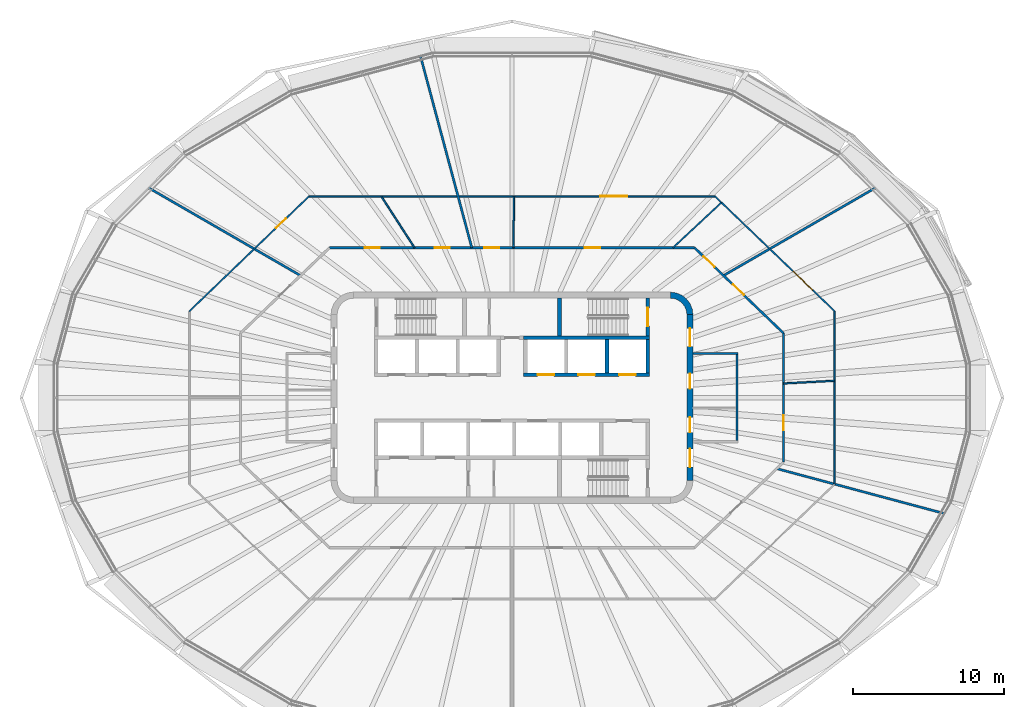
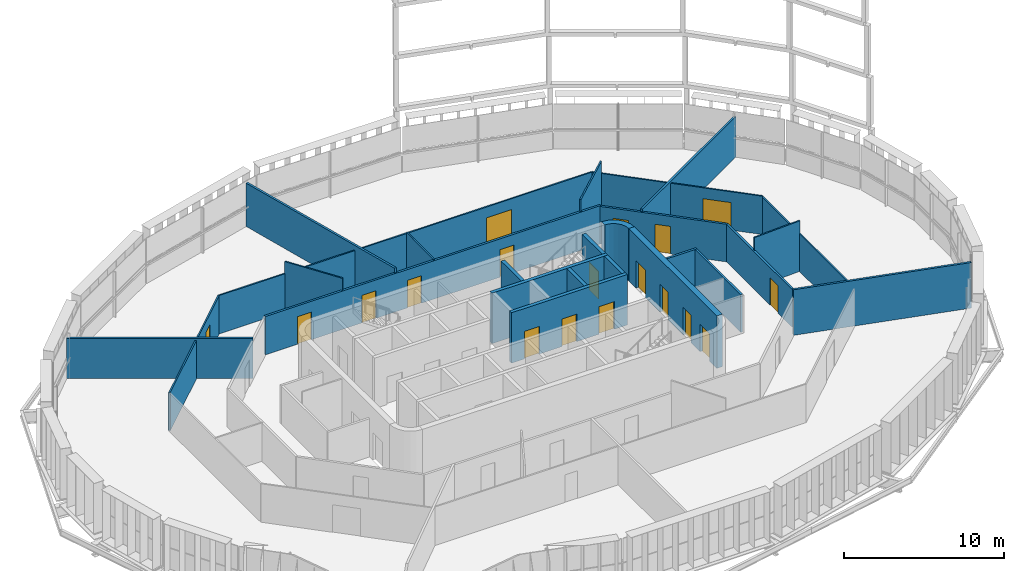
# One storey, part 12 of 20: 25 walls, 18 doors, 18 openings.
"""IFC4 building model written with IfcOpenShell, lengths in metres."""

import ifcopenshell
import ifcopenshell.guid

model = None  # the IFC model being written
_history = None  # IfcOwnerHistory: only IFC2X3 demands one
_inside = {}  # id of a spatial element -> (the spatial element, [elements in it])
_under = {}  # id of a project, library or spatial element -> (it, [spatial elements below it])
_declared = {}  # id of a project -> (the project, [libraries it declares])
_typed = {}  # id of a type object -> (the type object, [elements of that type])
_made_of = {}  # id of a material, layer set ... -> (it, [elements and type objects made of it])


def new_model(schema):
    """Start an empty IFC model of exactly this schema.

    Asked for "IFC4X3", IfcOpenShell would pick the latest addendum, in which some entities
    have other attributes; the version numbers below select the first issue.
    IFC2X3 requires an IfcOwnerHistory on every rooted entity: one is made here for all.
    """
    global model, _history
    if schema == "IFC4X3":
        model = ifcopenshell.file(schema_version=(4, 3, 0, 0))
    else:
        model = ifcopenshell.file(schema=schema)
    _inside.clear()
    _under.clear()
    _declared.clear()
    _typed.clear()
    _made_of.clear()
    _history = None
    if model.schema == "IFC2X3":
        org = make("IfcOrganization", Name="unknown")
        user = make(
            "IfcPersonAndOrganization",
            ThePerson=make("IfcPerson", FamilyName="unknown"),
            TheOrganization=org,
        )
        app = make(
            "IfcApplication",
            ApplicationDeveloper=org,
            Version="unknown",
            ApplicationFullName="unknown",
            ApplicationIdentifier="unknown",
        )
        _history = make(
            "IfcOwnerHistory",
            OwningUser=user,
            OwningApplication=app,
            ChangeAction="ADDED",
            CreationDate=0,
        )
    return model


def make(cls, **values):
    """One entity of the class cls with the attributes given. An attribute that is None is left unset."""
    return model.create_entity(
        cls, **{name: value for name, value in values.items() if value is not None}
    )


def rooted(cls, **values):
    """An entity with a GlobalId (a new one), such as an element, a storey or a relation."""
    return make(cls, GlobalId=ifcopenshell.guid.new(), OwnerHistory=_history, **values)


def si_unit(unit_type, name, prefix=None):
    """IfcSIUnit, for example si_unit("LENGTHUNIT", "METRE", prefix="MILLI")."""
    return make("IfcSIUnit", UnitType=unit_type, Prefix=prefix, Name=name)


def assignment(units):
    """IfcUnitAssignment: the units of a project."""
    return None if units is None else make("IfcUnitAssignment", Units=units)


def point(xyz):
    """IfcCartesianPoint."""
    return None if xyz is None else make("IfcCartesianPoint", Coordinates=xyz)


def direction(xyz):
    """IfcDirection."""
    return None if xyz is None else make("IfcDirection", DirectionRatios=xyz)


def frame(location, z_axis=None, x_axis=None):
    """IfcAxis2Placement3D, a coordinate frame: its origin and axes. An axis left out is left unset."""
    return make(
        "IfcAxis2Placement3D",
        Location=point(location),
        Axis=direction(z_axis),
        RefDirection=direction(x_axis),
    )


def frame_2d(location, x_axis=None):
    """IfcAxis2Placement2D, a coordinate frame in the plane: its origin and x axis."""
    return make(
        "IfcAxis2Placement2D", Location=point(location), RefDirection=direction(x_axis)
    )


def origin():
    """The frame at (0, 0, 0) with its axes left unset."""
    return frame((0.0, 0.0, 0.0))


def place(relative_to, where):
    """IfcLocalPlacement: puts the frame where relative to a parent placement (None: the world)."""
    return make(
        "IfcLocalPlacement", PlacementRelTo=relative_to, RelativePlacement=where
    )


def context(
    kind, dimensions, precision=None, world=None, true_north=None, identifier=None
):
    """IfcGeometricRepresentationContext, for example the 3D "Model" context."""
    return make(
        "IfcGeometricRepresentationContext",
        ContextIdentifier=identifier,
        ContextType=kind,
        CoordinateSpaceDimension=dimensions,
        Precision=precision,
        WorldCoordinateSystem=world,
        TrueNorth=true_north,
    )


def subcontext(parent, identifier, kind, view, scale=None):
    """IfcGeometricRepresentationSubContext, for example "Body" below "Model"."""
    return make(
        "IfcGeometricRepresentationSubContext",
        ContextIdentifier=identifier,
        ContextType=kind,
        ParentContext=parent,
        TargetScale=scale,
        TargetView=view,
    )


def project(units=None, contexts=None):
    """IfcProject with its units and contexts."""
    return rooted(
        "IfcProject",
        Name="project",
        RepresentationContexts=contexts,
        UnitsInContext=assignment(units),
    )


def spatial(cls, under=None, at=None, **own):
    """A site, building, storey or space (cls), placed at a placement, below another one or the project."""
    s = rooted(cls, ObjectPlacement=at, **own)
    if under is not None:
        _under.setdefault(under.id(), (under, []))[1].append(s)
    return s


def polyline(points):
    """IfcPolyline through the points."""
    return make("IfcPolyline", Points=[point(p) for p in points])


def profile(cls, at=None, kind="AREA", **sizes):
    """A parametric profile (cls). Its sizes go by their IFC names, for example OverallWidth=200.0."""
    return make(cls, ProfileType=kind, Position=at, **sizes)


def rectangle(**sizes):
    """IfcRectangleProfileDef."""
    return profile("IfcRectangleProfileDef", **sizes)


def outline(outer, holes=None, kind="AREA"):
    """IfcArbitraryClosedProfileDef: a profile drawn as a closed curve; with holes, ...WithVoids."""
    if holes is None:
        return make("IfcArbitraryClosedProfileDef", ProfileType=kind, OuterCurve=outer)
    return make(
        "IfcArbitraryProfileDefWithVoids",
        ProfileType=kind,
        OuterCurve=outer,
        InnerCurves=holes,
    )


def extrude(swept, where, along, depth):
    """IfcExtrudedAreaSolid: the profile swept, set in the frame where, extruded along a direction by depth."""
    return make(
        "IfcExtrudedAreaSolid",
        SweptArea=swept,
        Position=where,
        ExtrudedDirection=direction(along),
        Depth=depth,
    )


def shape(context_of_items, identifier, shape_type, items):
    """IfcShapeRepresentation: the items that make up one representation, for example the "Body"."""
    return make(
        "IfcShapeRepresentation",
        ContextOfItems=context_of_items,
        RepresentationIdentifier=identifier,
        RepresentationType=shape_type,
        Items=items,
    )


def material(Name=None, Category=None):
    """IfcMaterial."""
    return make("IfcMaterial", Name=Name, Category=Category)


def layer(
    of_material, thickness, ventilated=None, Name=None, Category=None, Priority=None
):
    """IfcMaterialLayer: one layer of a wall or slab, of a material (None: an air gap)."""
    return make(
        "IfcMaterialLayer",
        Material=of_material,
        LayerThickness=thickness,
        IsVentilated=ventilated,
        Name=Name,
        Category=Category,
        Priority=Priority,
    )


def layer_set(layers, Name=None):
    """IfcMaterialLayerSet."""
    return make("IfcMaterialLayerSet", MaterialLayers=layers, LayerSetName=Name)


def made_of(thing, what):
    """Note that an element or type object is made of a material, layer set ...; save() writes the relation."""
    if what is not None:
        _made_of.setdefault(what.id(), (what, []))[1].append(thing)
    return thing


def type_object(cls, material=None, **own):
    """A type object (cls), such as IfcWallType, which elements share."""
    return made_of(rooted(cls, **own), material)


def element(
    cls,
    number,
    at=None,
    inside=None,
    cuts=None,
    type_object=None,
    material=None,
    context=None,
    identifier="Body",
    shape_type=None,
    held_by="IfcProductDefinitionShape",
    body=None,
    shapes=None,
    **own,
):
    """One element of the class cls, such as IfcWall. Its Tag is "e" and its number.

    at: its placement. inside: the storey or other place that contains it. cuts: it is an
    opening in that element (IfcRelVoidsElement). A single representation is given by context,
    identifier, shape_type and body (its items); several are given by shapes. held_by: the class
    of the entity that holds the representations. save() writes the other relations.
    """
    e = rooted(cls, Tag="e%d" % number, ObjectPlacement=at, **own)
    if body is not None:
        shapes = [shape(context, identifier, shape_type, body)]
    if shapes is not None:
        e.Representation = make(held_by, Representations=shapes)
    if inside is not None:
        _inside.setdefault(inside.id(), (inside, []))[1].append(e)
    if cuts is not None:
        rooted(
            "IfcRelVoidsElement", RelatingBuildingElement=cuts, RelatedOpeningElement=e
        )
    if type_object is not None:
        _typed.setdefault(type_object.id(), (type_object, []))[1].append(e)
    return made_of(e, material)


def fill(opening, filler):
    """IfcRelFillsElement: the door or window that sits in an opening."""
    return rooted(
        "IfcRelFillsElement",
        RelatingOpeningElement=opening,
        RelatedBuildingElement=filler,
    )


def aggregate(whole, parts):
    """IfcRelAggregates: a whole, such as a stair, and the parts it consists of."""
    return rooted("IfcRelAggregates", RelatingObject=whole, RelatedObjects=parts)


def save(model, path):
    """Write the relations noted so far, then the file.

    IfcRelAggregates (storeys below a building ...), IfcRelContainedInSpatialStructure (elements
    in a storey), IfcRelDefinesByType, IfcRelAssociatesMaterial and IfcRelDeclares: one each for
    every whole, place, type object, material and project.
    """
    for whole, parts in _under.values():
        aggregate(whole, parts)
    for where, things in _inside.values():
        rooted(
            "IfcRelContainedInSpatialStructure",
            RelatedElements=things,
            RelatingStructure=where,
        )
    for kind, things in _typed.values():
        rooted("IfcRelDefinesByType", RelatedObjects=things, RelatingType=kind)
    for what, things in _made_of.values():
        rooted("IfcRelAssociatesMaterial", RelatedObjects=things, RelatingMaterial=what)
    for by, libraries in _declared.values():
        rooted("IfcRelDeclares", RelatingContext=by, RelatedDefinitions=libraries)
    model.write(path)


model = new_model("IFC4")

# Units and contexts
model_context = context("Model", 3, precision=1e-05, world=origin(), true_north=direction((0.0, 1.0)))
body_context = subcontext(model_context, "Body", "Model", "MODEL_VIEW")
ifc_project = project(units=[si_unit("LENGTHUNIT", "METRE"), si_unit("AREAUNIT", "SQUARE_METRE"), si_unit("VOLUMEUNIT", "CUBIC_METRE"), si_unit("PLANEANGLEUNIT", "RADIAN"), si_unit("MASSUNIT", "GRAM", prefix="KILO")], contexts=[model_context])

# Site, building, storey
site_placement = place(None, origin())
site = spatial("IfcSite", under=ifc_project, at=site_placement, CompositionType="ELEMENT")
building_placement = place(site_placement, origin())
building = spatial("IfcBuilding", under=site, at=building_placement, Name="Sahrelin Media Tower", CompositionType="ELEMENT")
storey_placement = place(building_placement, frame((0.0, 0.0, 255.0)))
storey = spatial("IfcBuildingStorey", under=building, at=storey_placement, Name="L55", CompositionType="ELEMENT", Elevation=255.0)

# Wall, openings, doors
ifc_material_1 = material(Name="Concrete C60/75", Category="concrete")
ifc_layer_1 = layer(ifc_material_1, 0.39990234375)
ifc_layer_set_1 = layer_set([ifc_layer_1], Name="Core wall 400")
wall_type_1 = type_object("IfcWallType", Name="Core wall 400", PredefinedType="SHEAR", material=ifc_layer_set_1)
wall_1_placement = place(storey_placement, frame((11.800048828125, -5.5, 0.0), z_axis=(0.0, 0.0, 1.0), x_axis=(0.0, 1.0, 0.0)))
wall_1 = element("IfcWall", 1, at=wall_1_placement, inside=storey, type_object=wall_type_1, Name="Core wall E L55", PredefinedType="SHEAR", context=body_context, shape_type="SweptSolid", body=[
    extrude(rectangle(XDim=11.0, YDim=0.39990234375, at=frame_2d((5.5, 0.0))), origin(), (0.0, 0.0, 1.0), 4.0),
])
opening_1_placement = place(wall_1_placement, frame((3.199951171875, 0.0, 0.0)))
opening_1 = element("IfcOpeningElement", 2, at=opening_1_placement, cuts=wall_1, Name="Opening L55-D12", PredefinedType="OPENING", context=body_context, shape_type="SweptSolid", body=[
    extrude(rectangle(XDim=1.0, YDim=2.10009765625, at=frame_2d((0.5, 1.050048828125))), frame((0.0, 0.199951171875, 0.0), z_axis=(0.0, -1.0, 0.0), x_axis=(1.0, 0.0, 0.0)), (0.0, 0.0, 1.0), 0.39990234375),
])
opening_2_placement = place(wall_1_placement, frame((6.10009765625, 0.0, 0.0)))
opening_2 = element("IfcOpeningElement", 3, at=opening_2_placement, cuts=wall_1, Name="Opening L55-D13", PredefinedType="OPENING", context=body_context, shape_type="SweptSolid", body=[
    extrude(rectangle(XDim=1.0, YDim=2.10009765625, at=frame_2d((0.5, 1.050048828125))), frame((0.0, 0.199951171875, 0.0), z_axis=(0.0, -1.0, 0.0), x_axis=(1.0, 0.0, 0.0)), (0.0, 0.0, 1.0), 0.39990234375),
])
opening_3_placement = place(wall_1_placement, frame((0.89990234375, 0.0, 0.0)))
opening_3 = element("IfcOpeningElement", 4, at=opening_3_placement, cuts=wall_1, Name="Opening L55-D16", PredefinedType="OPENING", context=body_context, shape_type="SweptSolid", body=[
    extrude(rectangle(XDim=1.199951171875, YDim=2.10009765625, at=frame_2d((0.60009765625, 1.050048828125))), frame((0.0, 0.199951171875, 0.0), z_axis=(0.0, -1.0, 0.0), x_axis=(1.0, 0.0, 0.0)), (0.0, 0.0, 1.0), 0.39990234375),
])
opening_4_placement = place(wall_1_placement, frame((8.89990234375, 0.0, 0.0)))
opening_4 = element("IfcOpeningElement", 5, at=opening_4_placement, cuts=wall_1, Name="Opening L55-D17", PredefinedType="OPENING", context=body_context, shape_type="SweptSolid", body=[
    extrude(rectangle(XDim=1.199951171875, YDim=2.10009765625, at=frame_2d((0.60009765625, 1.050048828125))), frame((0.0, 0.199951171875, 0.0), z_axis=(0.0, -1.0, 0.0), x_axis=(1.0, 0.0, 0.0)), (0.0, 0.0, 1.0), 0.39990234375),
])
ifc_material_2 = material(Name="Steel fire door leaf", Category="steel")
door_type_1 = type_object("IfcDoorType", Name="Fire door 1000 x 2100 EI 60", OperationType="NOTDEFINED", PredefinedType="DOOR", material=ifc_material_2)
door_1_placement = place(opening_1_placement, origin())
door_1 = element("IfcDoor", 6, at=door_1_placement, inside=storey, type_object=door_type_1, Name="Core room door", OperationType="SINGLE_SWING_RIGHT", OverallHeight=2.10009765625, OverallWidth=1.0, PredefinedType="DOOR", context=body_context, shape_type="SweptSolid", body=[
    extrude(rectangle(XDim=1.0, YDim=2.10009765625, at=frame_2d((0.5, 1.050048828125))), frame((0.0, 0.02490234375, 0.0), z_axis=(0.0, -1.0, 0.0), x_axis=(1.0, 0.0, 0.0)), (0.0, 0.0, 1.0), 0.050048828125),
])
fill(opening_1, door_1)
door_2_placement = place(opening_2_placement, origin())
door_2 = element("IfcDoor", 7, at=door_2_placement, inside=storey, type_object=door_type_1, Name="Core room door", OperationType="SINGLE_SWING_RIGHT", OverallHeight=2.10009765625, OverallWidth=1.0, PredefinedType="DOOR", context=body_context, shape_type="SweptSolid", body=[
    extrude(rectangle(XDim=1.0, YDim=2.10009765625, at=frame_2d((0.5, 1.050048828125))), frame((0.0, 0.02490234375, 0.0), z_axis=(0.0, -1.0, 0.0), x_axis=(1.0, 0.0, 0.0)), (0.0, 0.0, 1.0), 0.050048828125),
])
fill(opening_2, door_2)
door_type_2 = type_object("IfcDoorType", Name="Lobby door 1200 x 2100 EI 60", OperationType="NOTDEFINED", PredefinedType="DOOR", material=ifc_material_2)
door_3_placement = place(opening_3_placement, origin())
door_3 = element("IfcDoor", 8, at=door_3_placement, inside=storey, type_object=door_type_2, Name="Lobby door", OperationType="SINGLE_SWING_LEFT", OverallHeight=2.10009765625, OverallWidth=1.199951171875, PredefinedType="DOOR", context=body_context, shape_type="SweptSolid", body=[
    extrude(rectangle(XDim=1.199951171875, YDim=2.10009765625, at=frame_2d((0.60009765625, 1.050048828125))), frame((0.0, 0.02490234375, 0.0), z_axis=(0.0, -1.0, 0.0), x_axis=(1.0, 0.0, 0.0)), (0.0, 0.0, 1.0), 0.050048828125),
])
fill(opening_3, door_3)
door_4_placement = place(opening_4_placement, origin())
door_4 = element("IfcDoor", 9, at=door_4_placement, inside=storey, type_object=door_type_2, Name="Lobby door", OperationType="SINGLE_SWING_LEFT", OverallHeight=2.10009765625, OverallWidth=1.199951171875, PredefinedType="DOOR", context=body_context, shape_type="SweptSolid", body=[
    extrude(rectangle(XDim=1.199951171875, YDim=2.10009765625, at=frame_2d((0.60009765625, 1.050048828125))), frame((0.0, 0.02490234375, 0.0), z_axis=(0.0, -1.0, 0.0), x_axis=(1.0, 0.0, 0.0)), (0.0, 0.0, 1.0), 0.050048828125),
])
fill(opening_4, door_4)

# Walls
wall_2_placement = place(storey_placement, origin())
element("IfcWall", 10, at=wall_2_placement, inside=storey, type_object=wall_type_1, Name="Core wall corner NE L55", PredefinedType="SHEAR", context=body_context, shape_type="SweptSolid", body=[
    extrude(outline(polyline([(10.5, 7.0), (10.5, 6.596435546875), (10.78369140625, 6.55908203125), (11.04833984375, 6.44970703125), (11.275390625, 6.275390625), (11.44970703125, 6.04833984375), (11.55908203125, 5.78369140625), (11.596435546875, 5.5), (12.0, 5.5), (11.948974609375, 5.88818359375), (11.799072265625, 6.25), (11.560791015625, 6.560791015625), (11.25, 6.799072265625), (10.88818359375, 6.948974609375), (10.5, 7.0)])), origin(), (0.0, 0.0, 1.0), 4.0),
])
ifc_material_3 = material(Name="Fire-rated gypsum board partition")
ifc_layer_2 = layer(ifc_material_3, 0.14990234375)
ifc_layer_set_2 = layer_set([ifc_layer_2], Name="Fire-rated partition 150")
wall_type_2 = type_object("IfcWallType", Name="Fire-rated partition 150", PredefinedType="PARTITIONING", material=ifc_layer_set_2)
wall_3_placement = place(storey_placement, frame((14.925048828125, -2.85009765625, 0.0), z_axis=(0.0, 0.0, 1.0), x_axis=(0.0, 1.0, 0.0)))
element("IfcWall", 11, at=wall_3_placement, inside=storey, type_object=wall_type_2, Name="Core room fire partition", PredefinedType="PARTITIONING", context=body_context, shape_type="SweptSolid", body=[
    extrude(rectangle(XDim=5.7001953125, YDim=0.14990234375, at=frame_2d((2.85009765625, 0.0))), origin(), (0.0, 0.0, 1.0), 2.8681640625),
])
wall_4_placement = place(storey_placement, frame((12.0, 2.925048828125, 0.0), z_axis=(0.0, 0.0, 1.0), x_axis=(1.0, 0.0, 0.0)))
element("IfcWall", 12, at=wall_4_placement, inside=storey, type_object=wall_type_2, Name="Core room fire partition", PredefinedType="PARTITIONING", context=body_context, shape_type="SweptSolid", body=[
    extrude(rectangle(XDim=3.0, YDim=0.14990234375, at=frame_2d((1.5, 0.0))), origin(), (0.0, 0.0, 1.0), 2.8681640625),
])
wall_5_placement = place(storey_placement, frame((-6.068115234375, 22.64599609375, 0.0), z_axis=(0.0, 0.0, 1.0), x_axis=(0.258814996199, -0.965926911181, 0.0)))
element("IfcWall", 13, at=wall_5_placement, inside=storey, type_object=wall_type_2, Name="Wall", PredefinedType="PARTITIONING", context=body_context, shape_type="SweptSolid", body=[
    extrude(rectangle(XDim=13.14501953125, YDim=0.14990234375, at=frame_2d((6.572509765625, 0.0))), origin(), (0.0, 0.0, 1.0), 3.3017578125),
])

# Wall, openings, doors
wall_6_placement = place(storey_placement, frame((12.094970703125, 9.948974609375, 0.0), z_axis=(0.0, 0.0, 1.0), x_axis=(0.721290181137, -0.692633001376, 0.0)))
wall_6 = element("IfcWall", 14, at=wall_6_placement, inside=storey, type_object=wall_type_2, Name="Wall", PredefinedType="PARTITIONING", context=body_context, shape_type="SweptSolid", body=[
    extrude(rectangle(XDim=8.18701171875, YDim=0.14990234375, at=frame_2d((4.093505859375, 0.0))), origin(), (0.0, 0.0, 1.0), 2.8681640625),
])
opening_5_placement = place(wall_6_placement, frame((0.8388671875, 0.0, 0.0)))
opening_5 = element("IfcOpeningElement", 15, at=opening_5_placement, cuts=wall_6, Name="Opening L55-D18", PredefinedType="OPENING", context=body_context, shape_type="SweptSolid", body=[
    extrude(rectangle(XDim=1.0, YDim=2.10009765625, at=frame_2d((0.5, 1.050048828125))), frame((0.0, 0.074951171875, 0.0), z_axis=(0.0, -1.0, 0.0), x_axis=(1.0, 0.0, 0.0)), (0.0, 0.0, 1.0), 0.14990234375),
])
opening_6_placement = place(wall_6_placement, frame((3.541748046875, 0.0, 0.0)))
opening_6 = element("IfcOpeningElement", 16, at=opening_6_placement, cuts=wall_6, Name="Opening L55-D35", PredefinedType="OPENING", context=body_context, shape_type="SweptSolid", body=[
    extrude(rectangle(XDim=1.0, YDim=2.10009765625, at=frame_2d((0.5, 1.050048828125))), frame((0.0, 0.074951171875, 0.0), z_axis=(0.0, -1.0, 0.0), x_axis=(1.0, 0.0, 0.0)), (0.0, 0.0, 1.0), 0.14990234375),
])
door_5_placement = place(opening_5_placement, origin())
door_5 = element("IfcDoor", 17, at=door_5_placement, inside=storey, type_object=door_type_1, Name="Fire door", OperationType="SINGLE_SWING_LEFT", OverallHeight=2.10009765625, OverallWidth=1.0, PredefinedType="DOOR", context=body_context, shape_type="SweptSolid", body=[
    extrude(rectangle(XDim=1.0, YDim=2.10009765625, at=frame_2d((0.5, 1.050048828125))), frame((0.0, 0.02490234375, 0.0), z_axis=(0.0, -1.0, 0.0), x_axis=(1.0, 0.0, 0.0)), (0.0, 0.0, 1.0), 0.050048828125),
])
fill(opening_5, door_5)
door_6_placement = place(opening_6_placement, origin())
door_6 = element("IfcDoor", 18, at=door_6_placement, inside=storey, type_object=door_type_1, Name="Fire door", OperationType="SINGLE_SWING_LEFT", OverallHeight=2.10009765625, OverallWidth=1.0, PredefinedType="DOOR", context=body_context, shape_type="SweptSolid", body=[
    extrude(rectangle(XDim=1.0, YDim=2.10009765625, at=frame_2d((0.5, 1.050048828125))), frame((0.0, 0.02490234375, 0.0), z_axis=(0.0, -1.0, 0.0), x_axis=(1.0, 0.0, 0.0)), (0.0, 0.0, 1.0), 0.050048828125),
])
fill(opening_6, door_6)

# Walls
wall_7_placement = place(storey_placement, frame((-24.10400390625, 13.9169921875, 0.0), z_axis=(0.0, 0.0, 1.0), x_axis=(0.865998705175, -0.500046240497, 0.0)))
element("IfcWall", 19, at=wall_7_placement, inside=storey, type_object=wall_type_2, Name="Wall", PredefinedType="PARTITIONING", context=body_context, shape_type="SweptSolid", body=[
    extrude(rectangle(XDim=11.6396484375, YDim=0.14990234375, at=frame_2d((5.81982421875, 0.0))), origin(), (0.0, 0.0, 1.0), 3.075927734375),
])
wall_8_placement = place(storey_placement, frame((17.555908203125, -4.7041015625, 0.0), z_axis=(0.0, 0.0, 1.0), x_axis=(0.9659158877, -0.258856133573, 0.0)))
element("IfcWall", 20, at=wall_8_placement, inside=storey, type_object=wall_type_2, Name="Wall", PredefinedType="PARTITIONING", context=body_context, shape_type="SweptSolid", body=[
    extrude(rectangle(XDim=11.5205078125, YDim=0.14990234375, at=frame_2d((5.76025390625, 0.0))), origin(), (0.0, 0.0, 1.0), 3.4765625),
])

# Wall, openings, doors
wall_9_placement = place(storey_placement, frame((-12.094970703125, 9.948974609375, 0.0), z_axis=(0.0, 0.0, 1.0), x_axis=(1.0, 0.0, 0.0)))
wall_9 = element("IfcWall", 21, at=wall_9_placement, inside=storey, type_object=wall_type_2, Name="Wall", PredefinedType="PARTITIONING", context=body_context, shape_type="SweptSolid", body=[
    extrude(rectangle(XDim=24.18994140625, YDim=0.14990234375, at=frame_2d((12.094970703125, 0.0))), origin(), (0.0, 0.0, 1.0), 2.927001953125),
])
opening_7_placement = place(wall_9_placement, frame((16.93310546875, 0.0, 0.0)))
opening_7 = element("IfcOpeningElement", 22, at=opening_7_placement, cuts=wall_9, Name="Opening L55-D19", PredefinedType="OPENING", context=body_context, shape_type="SweptSolid", body=[
    extrude(rectangle(XDim=1.0, YDim=2.10009765625, at=frame_2d((0.5, 1.050048828125))), frame((0.0, 0.074951171875, 0.0), z_axis=(0.0, -1.0, 0.0), x_axis=(1.0, 0.0, 0.0)), (0.0, 0.0, 1.0), 0.14990234375),
])
opening_8_placement = place(wall_9_placement, frame((10.254638671875, 0.0, 0.0)))
opening_8 = element("IfcOpeningElement", 23, at=opening_8_placement, cuts=wall_9, Name="Opening L55-D20", PredefinedType="OPENING", context=body_context, shape_type="SweptSolid", body=[
    extrude(rectangle(XDim=1.0, YDim=2.10009765625, at=frame_2d((0.5, 1.050048828125))), frame((0.0, 0.074951171875, 0.0), z_axis=(0.0, -1.0, 0.0), x_axis=(1.0, 0.0, 0.0)), (0.0, 0.0, 1.0), 0.14990234375),
])
opening_9_placement = place(wall_9_placement, frame((6.978271484375, 0.0, 0.0)))
opening_9 = element("IfcOpeningElement", 24, at=opening_9_placement, cuts=wall_9, Name="Opening L55-D22", PredefinedType="OPENING", context=body_context, shape_type="SweptSolid", body=[
    extrude(rectangle(XDim=1.0, YDim=2.10009765625, at=frame_2d((0.5, 1.050048828125))), frame((0.0, 0.074951171875, 0.0), z_axis=(0.0, -1.0, 0.0), x_axis=(1.0, 0.0, 0.0)), (0.0, 0.0, 1.0), 0.14990234375),
])
opening_10_placement = place(wall_9_placement, frame((2.31689453125, 0.0, 0.0)))
opening_10 = element("IfcOpeningElement", 25, at=opening_10_placement, cuts=wall_9, Name="Opening L55-D23", PredefinedType="OPENING", context=body_context, shape_type="SweptSolid", body=[
    extrude(rectangle(XDim=1.0, YDim=2.10009765625, at=frame_2d((0.5, 1.050048828125))), frame((0.0, 0.074951171875, 0.0), z_axis=(0.0, -1.0, 0.0), x_axis=(1.0, 0.0, 0.0)), (0.0, 0.0, 1.0), 0.14990234375),
])
door_7_placement = place(opening_7_placement, origin())
door_7 = element("IfcDoor", 26, at=door_7_placement, inside=storey, type_object=door_type_1, Name="Fire door", OperationType="SINGLE_SWING_RIGHT", OverallHeight=2.10009765625, OverallWidth=1.0, PredefinedType="DOOR", context=body_context, shape_type="SweptSolid", body=[
    extrude(rectangle(XDim=1.0, YDim=2.10009765625, at=frame_2d((0.5, 1.050048828125))), frame((0.0, 0.02490234375, 0.0), z_axis=(0.0, -1.0, 0.0), x_axis=(1.0, 0.0, 0.0)), (0.0, 0.0, 1.0), 0.050048828125),
])
fill(opening_7, door_7)
door_8_placement = place(opening_8_placement, origin())
door_8 = element("IfcDoor", 27, at=door_8_placement, inside=storey, type_object=door_type_1, Name="Fire door", OperationType="SINGLE_SWING_LEFT", OverallHeight=2.10009765625, OverallWidth=1.0, PredefinedType="DOOR", context=body_context, shape_type="SweptSolid", body=[
    extrude(rectangle(XDim=1.0, YDim=2.10009765625, at=frame_2d((0.5, 1.050048828125))), frame((0.0, 0.02490234375, 0.0), z_axis=(0.0, -1.0, 0.0), x_axis=(1.0, 0.0, 0.0)), (0.0, 0.0, 1.0), 0.050048828125),
])
fill(opening_8, door_8)
door_9_placement = place(opening_9_placement, origin())
door_9 = element("IfcDoor", 28, at=door_9_placement, inside=storey, type_object=door_type_1, Name="Fire door", OperationType="SINGLE_SWING_LEFT", OverallHeight=2.10009765625, OverallWidth=1.0, PredefinedType="DOOR", context=body_context, shape_type="SweptSolid", body=[
    extrude(rectangle(XDim=1.0, YDim=2.10009765625, at=frame_2d((0.5, 1.050048828125))), frame((0.0, 0.02490234375, 0.0), z_axis=(0.0, -1.0, 0.0), x_axis=(1.0, 0.0, 0.0)), (0.0, 0.0, 1.0), 0.050048828125),
])
fill(opening_9, door_9)
door_10_placement = place(opening_10_placement, origin())
door_10 = element("IfcDoor", 29, at=door_10_placement, inside=storey, type_object=door_type_1, Name="Fire door", OperationType="SINGLE_SWING_RIGHT", OverallHeight=2.10009765625, OverallWidth=1.0, PredefinedType="DOOR", context=body_context, shape_type="SweptSolid", body=[
    extrude(rectangle(XDim=1.0, YDim=2.10009765625, at=frame_2d((0.5, 1.050048828125))), frame((0.0, 0.02490234375, 0.0), z_axis=(0.0, -1.0, 0.0), x_axis=(1.0, 0.0, 0.0)), (0.0, 0.0, 1.0), 0.050048828125),
])
fill(opening_10, door_10)

# Wall
wall_10_placement = place(storey_placement, frame((14.02392578125, 8.096923828125, 0.0), z_axis=(0.0, 0.0, 1.0), x_axis=(0.866019681863, 0.500009910528, 0.0)))
element("IfcWall", 30, at=wall_10_placement, inside=storey, type_object=wall_type_2, Name="Wall", PredefinedType="PARTITIONING", context=body_context, shape_type="SweptSolid", body=[
    extrude(rectangle(XDim=11.640380859375, YDim=0.14990234375, at=frame_2d((5.8203125, 0.0))), origin(), (0.0, 0.0, 1.0), 3.075927734375),
])

# Wall, opening, door
wall_11_placement = place(storey_placement, frame((18.0, -4.278076171875, 0.0), z_axis=(0.0, 0.0, 1.0), x_axis=(0.0, 1.0, 0.0)))
wall_11 = element("IfcWall", 31, at=wall_11_placement, inside=storey, type_object=wall_type_2, Name="Wall", PredefinedType="PARTITIONING", context=body_context, shape_type="SweptSolid", body=[
    extrude(rectangle(XDim=8.55615234375, YDim=0.14990234375, at=frame_2d((4.278076171875, 0.0))), origin(), (0.0, 0.0, 1.0), 2.8681640625),
])
opening_11_placement = place(wall_11_placement, frame((2.110595703125, 0.0, 0.0)))
opening_11 = element("IfcOpeningElement", 32, at=opening_11_placement, cuts=wall_11, Name="Opening L55-D34", PredefinedType="OPENING", context=body_context, shape_type="SweptSolid", body=[
    extrude(rectangle(XDim=1.0, YDim=2.10009765625, at=frame_2d((0.5, 1.050048828125))), frame((0.0, 0.074951171875, 0.0), z_axis=(0.0, -1.0, 0.0), x_axis=(1.0, 0.0, 0.0)), (0.0, 0.0, 1.0), 0.14990234375),
])
door_11_placement = place(opening_11_placement, origin())
door_11 = element("IfcDoor", 33, at=door_11_placement, inside=storey, type_object=door_type_1, Name="Fire door", OperationType="SINGLE_SWING_LEFT", OverallHeight=2.10009765625, OverallWidth=1.0, PredefinedType="DOOR", context=body_context, shape_type="SweptSolid", body=[
    extrude(rectangle(XDim=1.0, YDim=2.10009765625, at=frame_2d((0.5, 1.050048828125))), frame((0.0, 0.02490234375, 0.0), z_axis=(0.0, -1.0, 0.0), x_axis=(1.0, 0.0, 0.0)), (0.0, 0.0, 1.0), 0.050048828125),
])
fill(opening_11, door_11)

# Wall, openings, doors
ifc_layer_3 = layer(ifc_material_1, 0.25)
ifc_layer_set_3 = layer_set([ifc_layer_3], Name="Lift shaft wall 250")
wall_type_3 = type_object("IfcWallType", Name="Lift shaft wall 250", PredefinedType="SOLIDWALL", material=ifc_layer_set_3)
wall_12_placement = place(storey_placement, frame((0.77490234375, 1.52490234375, 0.0), z_axis=(0.0, 0.0, 1.0), x_axis=(1.0, 0.0, 0.0)))
wall_12 = element("IfcWall", 34, at=wall_12_placement, inside=storey, type_object=wall_type_3, Name="Lift shaft wall", PredefinedType="SOLIDWALL", context=body_context, shape_type="SweptSolid", body=[
    extrude(rectangle(XDim=8.35009765625, YDim=0.25, at=frame_2d((4.175048828125, 0.0))), origin(), (0.0, 0.0, 1.0), 3.85009765625),
])
opening_12_placement = place(wall_12_placement, frame((0.925048828125, 0.0, 0.0)))
opening_12 = element("IfcOpeningElement", 35, at=opening_12_placement, cuts=wall_12, Name="Opening L55-LD-HR4", PredefinedType="OPENING", context=body_context, shape_type="SweptSolid", body=[
    extrude(rectangle(XDim=1.10009765625, YDim=2.10009765625, at=frame_2d((0.550048828125, 1.050048828125))), frame((0.0, 0.125, 0.0), z_axis=(0.0, -1.0, 0.0), x_axis=(1.0, 0.0, 0.0)), (0.0, 0.0, 1.0), 0.25),
])
opening_13_placement = place(wall_12_placement, frame((3.625, 0.0, 0.0)))
opening_13 = element("IfcOpeningElement", 36, at=opening_13_placement, cuts=wall_12, Name="Opening L55-LD-HR5", PredefinedType="OPENING", context=body_context, shape_type="SweptSolid", body=[
    extrude(rectangle(XDim=1.10009765625, YDim=2.10009765625, at=frame_2d((0.550048828125, 1.050048828125))), frame((0.0, 0.125, 0.0), z_axis=(0.0, -1.0, 0.0), x_axis=(1.0, 0.0, 0.0)), (0.0, 0.0, 1.0), 0.25),
])
opening_14_placement = place(wall_12_placement, frame((6.324951171875, 0.0, 0.0)))
opening_14 = element("IfcOpeningElement", 37, at=opening_14_placement, cuts=wall_12, Name="Opening L55-LD-HR6", PredefinedType="OPENING", context=body_context, shape_type="SweptSolid", body=[
    extrude(rectangle(XDim=1.10009765625, YDim=2.10009765625, at=frame_2d((0.550048828125, 1.050048828125))), frame((0.0, 0.125, 0.0), z_axis=(0.0, -1.0, 0.0), x_axis=(1.0, 0.0, 0.0)), (0.0, 0.0, 1.0), 0.25),
])
ifc_material_4 = material(Name="Stainless steel", Category="steel")
door_type_3 = type_object("IfcDoorType", Name="Lift landing door 1100 x 2100 EI 120", OperationType="DOUBLE_DOOR_SLIDING", PredefinedType="DOOR", material=ifc_material_4)
door_12_placement = place(opening_12_placement, origin())
door_12 = element("IfcDoor", 38, at=door_12_placement, inside=storey, type_object=door_type_3, Name="Lift landing door HR4", OperationType="DOUBLE_DOOR_SLIDING", OverallHeight=2.10009765625, OverallWidth=1.10009765625, PredefinedType="DOOR", context=body_context, shape_type="SweptSolid", body=[
    extrude(rectangle(XDim=1.10009765625, YDim=2.10009765625, at=frame_2d((0.550048828125, 1.050048828125))), frame((0.0, 0.02490234375, 0.0), z_axis=(0.0, -1.0, 0.0), x_axis=(1.0, 0.0, 0.0)), (0.0, 0.0, 1.0), 0.050048828125),
])
fill(opening_12, door_12)
door_13_placement = place(opening_13_placement, origin())
door_13 = element("IfcDoor", 39, at=door_13_placement, inside=storey, type_object=door_type_3, Name="Lift landing door HR5", OperationType="DOUBLE_DOOR_SLIDING", OverallHeight=2.10009765625, OverallWidth=1.10009765625, PredefinedType="DOOR", context=body_context, shape_type="SweptSolid", body=[
    extrude(rectangle(XDim=1.10009765625, YDim=2.10009765625, at=frame_2d((0.550048828125, 1.050048828125))), frame((0.0, 0.02490234375, 0.0), z_axis=(0.0, -1.0, 0.0), x_axis=(1.0, 0.0, 0.0)), (0.0, 0.0, 1.0), 0.050048828125),
])
fill(opening_13, door_13)
door_14_placement = place(opening_14_placement, origin())
door_14 = element("IfcDoor", 40, at=door_14_placement, inside=storey, type_object=door_type_3, Name="Lift landing door HR6", OperationType="DOUBLE_DOOR_SLIDING", OverallHeight=2.10009765625, OverallWidth=1.10009765625, PredefinedType="DOOR", context=body_context, shape_type="SweptSolid", body=[
    extrude(rectangle(XDim=1.10009765625, YDim=2.10009765625, at=frame_2d((0.550048828125, 1.050048828125))), frame((0.0, 0.02490234375, 0.0), z_axis=(0.0, -1.0, 0.0), x_axis=(1.0, 0.0, 0.0)), (0.0, 0.0, 1.0), 0.050048828125),
])
fill(opening_14, door_14)

# Walls
wall_13_placement = place(storey_placement, frame((0.77490234375, 3.97509765625, 0.0), z_axis=(0.0, 0.0, 1.0), x_axis=(1.0, 0.0, 0.0)))
element("IfcWall", 41, at=wall_13_placement, inside=storey, type_object=wall_type_3, Name="Lift shaft wall", PredefinedType="SOLIDWALL", context=body_context, shape_type="SweptSolid", body=[
    extrude(rectangle(XDim=8.35009765625, YDim=0.25, at=frame_2d((4.175048828125, 0.0))), origin(), (0.0, 0.0, 1.0), 3.85009765625),
])
for number, where, z_axis, x_axis, name in (
    (42, (9.0, 1.64990234375, 0.0), (0.0, 0.0, 1.0), (0.0, 1.0, 0.0), "Lift shaft wall"),
    (43, (6.300048828125, 1.64990234375, 0.0), (0.0, 0.0, 1.0), (0.0, 1.0, 0.0), "Lift shaft wall"),
):
    element("IfcWall", number, at=place(storey_placement, frame(where, z_axis=z_axis, x_axis=x_axis)), inside=storey, type_object=wall_type_3, Name=name, PredefinedType="SOLIDWALL", context=body_context, shape_type="SweptSolid", body=[
        extrude(rectangle(XDim=2.2001953125, YDim=0.25, at=frame_2d((1.10009765625, 0.0))), origin(), (0.0, 0.0, 1.0), 3.85009765625),
    ])
ifc_material_5 = material(Name="Gypsum board partition")
ifc_layer_4 = layer(ifc_material_5, 0.10009765625)
ifc_layer_set_4 = layer_set([ifc_layer_4], Name="Partition 100")
wall_type_4 = type_object("IfcWallType", Name="Partition 100", PredefinedType="PARTITIONING", material=ifc_layer_set_4)
wall_14_placement = place(storey_placement, frame((-8.6689453125, 13.34912109375, 0.0), z_axis=(0.0, 0.0, 1.0), x_axis=(0.544626347019, -0.83867880749, 0.0)))
element("IfcWall", 44, at=wall_14_placement, inside=storey, type_object=wall_type_4, Name="Wall", PredefinedType="PARTITIONING", context=body_context, shape_type="SweptSolid", body=[
    extrude(rectangle(XDim=4.05419921875, YDim=0.10009765625, at=frame_2d((2.027099609375, 0.0))), origin(), (0.0, 0.0, 1.0), 3.85009765625),
])

# Wall, opening, door
wall_15_placement = place(storey_placement, frame((13.462890625, 13.34912109375, 0.0), z_axis=(0.0, 0.0, 1.0), x_axis=(0.721293766873, -0.692629267264, 0.0)))
wall_15 = element("IfcWall", 45, at=wall_15_placement, inside=storey, type_object=wall_type_4, Name="Wall", PredefinedType="PARTITIONING", context=body_context, shape_type="SweptSolid", body=[
    extrude(rectangle(XDim=11.004150390625, YDim=0.10009765625, at=frame_2d((5.501953125, 0.0))), origin(), (0.0, 0.0, 1.0), 2.927001953125),
])
opening_15_placement = place(wall_15_placement, frame((7.166259765625, 0.0, 0.0)))
opening_15 = element("IfcOpeningElement", 46, at=opening_15_placement, cuts=wall_15, Name="Opening L55-D36", PredefinedType="OPENING", context=body_context, shape_type="SweptSolid", body=[
    extrude(rectangle(XDim=1.800048828125, YDim=2.10009765625, at=frame_2d((0.89990234375, 1.050048828125))), frame((0.0, 0.050048828125, 0.0), z_axis=(0.0, -1.0, 0.0), x_axis=(1.0, 0.0, 0.0)), (0.0, 0.0, 1.0), 0.10009765625),
])
ifc_material_6 = material(Name="Timber door leaf", Category="wood")
door_type_4 = type_object("IfcDoorType", Name="Double door 1800 x 2100", OperationType="DOUBLE_DOOR_SINGLE_SWING", PredefinedType="DOOR", material=ifc_material_6)
door_15_placement = place(opening_15_placement, origin())
door_15 = element("IfcDoor", 47, at=door_15_placement, inside=storey, type_object=door_type_4, Name="Double door", OperationType="DOUBLE_DOOR_SINGLE_SWING", OverallHeight=2.10009765625, OverallWidth=1.800048828125, PredefinedType="DOOR", context=body_context, shape_type="SweptSolid", body=[
    extrude(rectangle(XDim=1.800048828125, YDim=2.10009765625, at=frame_2d((0.89990234375, 1.050048828125))), frame((0.0, 0.02490234375, 0.0), z_axis=(0.0, -1.0, 0.0), x_axis=(1.0, 0.0, 0.0)), (0.0, 0.0, 1.0), 0.050048828125),
])
fill(opening_15, door_15)

wall_16_placement = place(storey_placement, frame((-13.462890625, 13.34912109375, 0.0), z_axis=(0.0, 0.0, 1.0), x_axis=(1.0, 0.0, 0.0)))
wall_16 = element("IfcWall", 48, at=wall_16_placement, inside=storey, type_object=wall_type_4, Name="Wall", PredefinedType="PARTITIONING", context=body_context, shape_type="SweptSolid", body=[
    extrude(rectangle(XDim=26.92578125, YDim=0.10009765625, at=frame_2d((13.462890625, 0.0))), origin(), (0.0, 0.0, 1.0), 2.927001953125),
])
opening_16_placement = place(wall_16_placement, frame((19.310302734375, 0.0, 0.0)))
opening_16 = element("IfcOpeningElement", 49, at=opening_16_placement, cuts=wall_16, Name="Opening L55-D21", PredefinedType="OPENING", context=body_context, shape_type="SweptSolid", body=[
    extrude(rectangle(XDim=1.800048828125, YDim=2.10009765625, at=frame_2d((0.89990234375, 1.050048828125))), frame((0.0, 0.050048828125, 0.0), z_axis=(0.0, -1.0, 0.0), x_axis=(1.0, 0.0, 0.0)), (0.0, 0.0, 1.0), 0.10009765625),
])
door_16_placement = place(opening_16_placement, origin())
door_16 = element("IfcDoor", 50, at=door_16_placement, inside=storey, type_object=door_type_4, Name="Double door", OperationType="DOUBLE_DOOR_SINGLE_SWING", OverallHeight=2.10009765625, OverallWidth=1.800048828125, PredefinedType="DOOR", context=body_context, shape_type="SweptSolid", body=[
    extrude(rectangle(XDim=1.800048828125, YDim=2.10009765625, at=frame_2d((0.89990234375, 1.050048828125))), frame((0.0, 0.02490234375, 0.0), z_axis=(0.0, -1.0, 0.0), x_axis=(1.0, 0.0, 0.0)), (0.0, 0.0, 1.0), 0.050048828125),
])
fill(opening_16, door_16)

# Walls
wall_17_placement = place(storey_placement, frame((18.0, 0.943115234375, 0.0), z_axis=(0.0, 0.0, 1.0), x_axis=(0.998632646467, 0.052276547413, 0.0)))
element("IfcWall", 51, at=wall_17_placement, inside=storey, type_object=wall_type_4, Name="Wall", PredefinedType="PARTITIONING", context=body_context, shape_type="SweptSolid", body=[
    extrude(rectangle(XDim=3.404541015625, YDim=0.10009765625, at=frame_2d((1.7021484375, 0.0))), origin(), (0.0, 0.0, 1.0), 3.85009765625),
])
wall_18_placement = place(storey_placement, frame((10.678955078125, 9.948974609375, 0.0), z_axis=(0.0, 0.0, 1.0), x_axis=(0.731623098171, 0.681709353187, 0.0)))
element("IfcWall", 52, at=wall_18_placement, inside=storey, type_object=wall_type_4, Name="Wall", PredefinedType="PARTITIONING", context=body_context, shape_type="SweptSolid", body=[
    extrude(rectangle(XDim=4.387451171875, YDim=0.10009765625, at=frame_2d((2.19384765625, 0.0))), origin(), (0.0, 0.0, 1.0), 3.85009765625),
])

# Wall, opening, door
wall_19_placement = place(storey_placement, frame((-21.39990234375, 5.72705078125, 0.0), z_axis=(0.0, 0.0, 1.0), x_axis=(0.721272039069, 0.692651893563, 0.0)))
wall_19 = element("IfcWall", 53, at=wall_19_placement, inside=storey, type_object=wall_type_4, Name="Wall", PredefinedType="PARTITIONING", context=body_context, shape_type="SweptSolid", body=[
    extrude(rectangle(XDim=11.004150390625, YDim=0.10009765625, at=frame_2d((5.501953125, 0.0))), origin(), (0.0, 0.0, 1.0), 2.927001953125),
])
opening_17_placement = place(wall_19_placement, frame((7.989990234375, 0.0, 0.0)))
opening_17 = element("IfcOpeningElement", 54, at=opening_17_placement, cuts=wall_19, Name="Opening L55-D24", PredefinedType="OPENING", context=body_context, shape_type="SweptSolid", body=[
    extrude(rectangle(XDim=0.89990234375, YDim=2.10009765625, at=frame_2d((0.449951171875, 1.050048828125))), frame((0.0, 0.050048828125, 0.0), z_axis=(0.0, -1.0, 0.0), x_axis=(1.0, 0.0, 0.0)), (0.0, 0.0, 1.0), 0.10009765625),
])
door_type_5 = type_object("IfcDoorType", Name="Single door 900 x 2100", OperationType="NOTDEFINED", PredefinedType="DOOR", material=ifc_material_6)
door_17_placement = place(opening_17_placement, origin())
door_17 = element("IfcDoor", 55, at=door_17_placement, inside=storey, type_object=door_type_5, Name="Single door", OperationType="SINGLE_SWING_LEFT", OverallHeight=2.10009765625, OverallWidth=0.89990234375, PredefinedType="DOOR", context=body_context, shape_type="SweptSolid", body=[
    extrude(rectangle(XDim=0.89990234375, YDim=2.10009765625, at=frame_2d((0.449951171875, 1.050048828125))), frame((0.0, 0.02490234375, 0.0), z_axis=(0.0, -1.0, 0.0), x_axis=(1.0, 0.0, 0.0)), (0.0, 0.0, 1.0), 0.050048828125),
])
fill(opening_17, door_17)

# Walls
wall_20_placement = place(storey_placement, frame((0.097900390625, 9.948974609375, 0.0), z_axis=(0.0, 0.0, 1.0), x_axis=(0.010051908305, 0.999949478293, 0.0)))
element("IfcWall", 56, at=wall_20_placement, inside=storey, type_object=wall_type_4, Name="Wall", PredefinedType="PARTITIONING", context=body_context, shape_type="SweptSolid", body=[
    extrude(rectangle(XDim=3.400390625, YDim=0.10009765625, at=frame_2d((1.7001953125, 0.0))), origin(), (0.0, 0.0, 1.0), 2.9951171875),
])
wall_21_placement = place(storey_placement, frame((21.39990234375, -5.72705078125, 0.0), z_axis=(0.0, 0.0, 1.0), x_axis=(0.0, 1.0, 0.0)))
element("IfcWall", 57, at=wall_21_placement, inside=storey, type_object=wall_type_4, Name="Wall", PredefinedType="PARTITIONING", context=body_context, shape_type="SweptSolid", body=[
    extrude(rectangle(XDim=11.4541015625, YDim=0.10009765625, at=frame_2d((5.72705078125, 0.0))), origin(), (0.0, 0.0, 1.0), 2.8681640625),
])

# Wall, opening, door
ifc_layer_5 = layer(ifc_material_1, 0.25)
ifc_layer_set_5 = layer_set([ifc_layer_5], Name="Stair enclosure wall 250")
wall_type_5 = type_object("IfcWallType", Name="Stair enclosure wall 250", PredefinedType="SOLIDWALL", material=ifc_layer_set_5)
wall_22_placement = place(storey_placement, frame((9.0, 4.10009765625, 0.0), z_axis=(0.0, 0.0, 1.0), x_axis=(0.0, 1.0, 0.0)))
wall_22 = element("IfcWall", 58, at=wall_22_placement, inside=storey, type_object=wall_type_5, Name="Stair enclosure wall", PredefinedType="SOLIDWALL", context=body_context, shape_type="SweptSolid", body=[
    extrude(rectangle(XDim=2.5, YDim=0.25, at=frame_2d((1.25, 0.0))), origin(), (0.0, 0.0, 1.0), 3.85009765625),
])
opening_18_placement = place(wall_22_placement, frame((0.64990234375, 0.0, 0.0)))
opening_18 = element("IfcOpeningElement", 59, at=opening_18_placement, cuts=wall_22, Name="Opening L55-D02", PredefinedType="OPENING", context=body_context, shape_type="SweptSolid", body=[
    extrude(rectangle(XDim=1.199951171875, YDim=2.10009765625, at=frame_2d((0.60009765625, 1.050048828125))), frame((0.0, 0.125, 0.0), z_axis=(0.0, -1.0, 0.0), x_axis=(1.0, 0.0, 0.0)), (0.0, 0.0, 1.0), 0.25),
])
door_type_6 = type_object("IfcDoorType", Name="Stair door 1200 x 2100 EI 120", OperationType="NOTDEFINED", PredefinedType="DOOR", material=ifc_material_2)
door_18_placement = place(opening_18_placement, origin())
door_18 = element("IfcDoor", 60, at=door_18_placement, inside=storey, type_object=door_type_6, Name="Stair door ST3", OperationType="SINGLE_SWING_LEFT", OverallHeight=2.10009765625, OverallWidth=1.199951171875, PredefinedType="DOOR", context=body_context, shape_type="SweptSolid", body=[
    extrude(rectangle(XDim=1.199951171875, YDim=2.10009765625, at=frame_2d((0.60009765625, 1.050048828125))), frame((0.0, 0.02490234375, 0.0), z_axis=(0.0, -1.0, 0.0), x_axis=(1.0, 0.0, 0.0)), (0.0, 0.0, 1.0), 0.050048828125),
])
fill(opening_18, door_18)

# Wall
wall_23_placement = place(storey_placement, frame((3.14990234375, 4.10009765625, 0.0), z_axis=(0.0, 0.0, 1.0), x_axis=(0.0, 1.0, 0.0)))
element("IfcWall", 61, at=wall_23_placement, inside=storey, type_object=wall_type_5, Name="Stair enclosure wall", PredefinedType="SOLIDWALL", context=body_context, shape_type="SweptSolid", body=[
    extrude(rectangle(XDim=2.5, YDim=0.25, at=frame_2d((1.25, 0.0))), origin(), (0.0, 0.0, 1.0), 3.85009765625),
])

save(model, "model.ifc")
